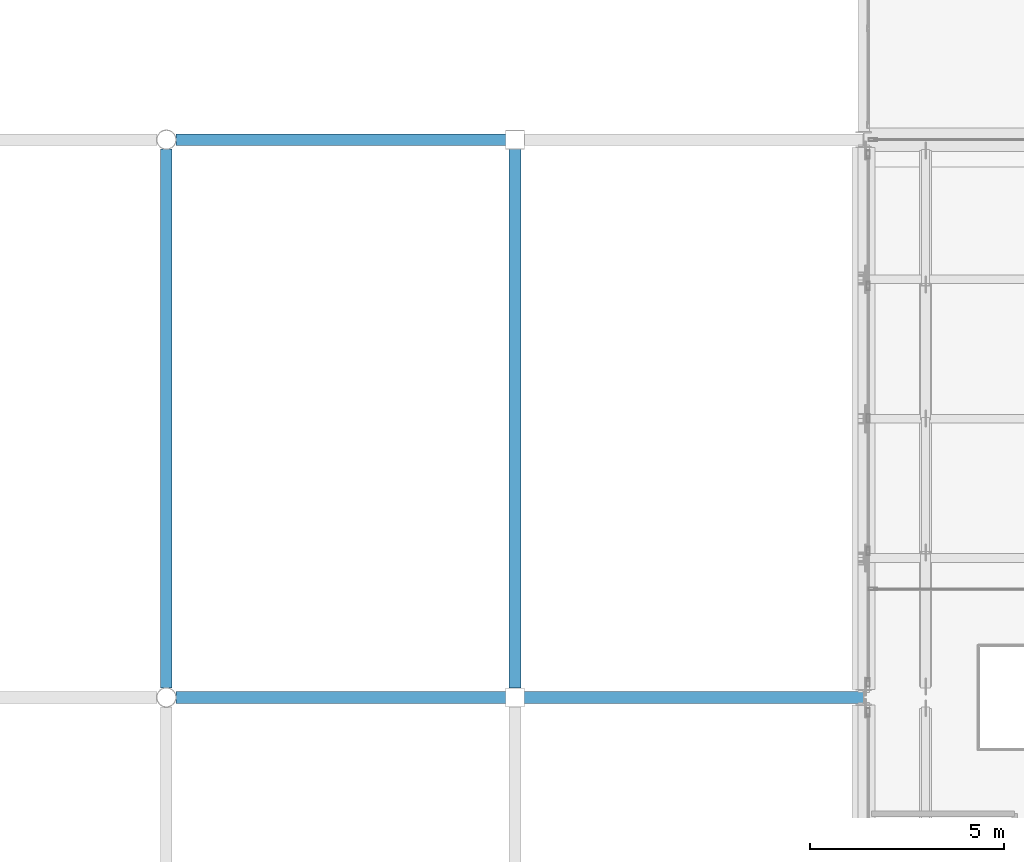
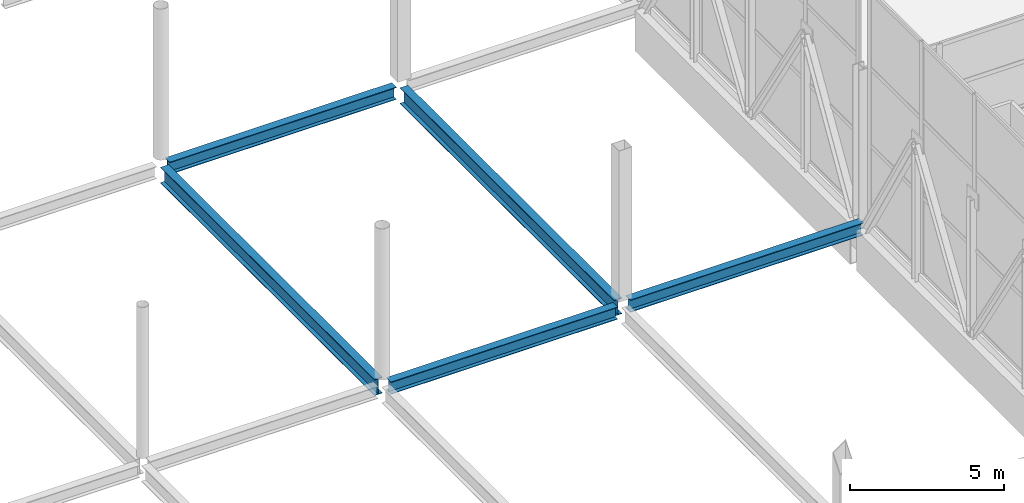
# One storey, part 72 of 191: 5 beams.
"""IFC4 building model written with IfcOpenShell, lengths in metres."""

from ifc_helpers import new_model, si_unit, direction, frame, origin, origin_2d, place, context, subcontext, project, spatial, i_section, extrude, material, material_profile, profile_set, type_object, element, save


model = new_model("IFC4")

# Units and contexts
model_context = context("Model", 3, precision=1e-05, world=origin(), true_north=direction((0.0, 1.0)))
body_context = subcontext(model_context, "Body", "Model", "MODEL_VIEW")
ifc_project = project(units=[si_unit("LENGTHUNIT", "METRE"), si_unit("AREAUNIT", "SQUARE_METRE"), si_unit("VOLUMEUNIT", "CUBIC_METRE"), si_unit("PLANEANGLEUNIT", "RADIAN"), si_unit("MASSUNIT", "GRAM", prefix="KILO")], contexts=[model_context])

# Site, building, storey
site_placement = place(None, origin())
site = spatial("IfcSite", under=ifc_project, at=site_placement, CompositionType="ELEMENT")
building_placement = place(site_placement, origin())
building = spatial("IfcBuilding", under=site, at=building_placement, Name="Tamarisk Ironworks Central Station", CompositionType="ELEMENT")
storey_placement = place(building_placement, frame((0.0, 0.0, 6.60009765625)))
storey = spatial("IfcBuildingStorey", under=building, at=storey_placement, Name="L01", CompositionType="ELEMENT", Elevation=6.60009765625)

# Beams
ifc_material = material(Name="Structural steel S355J2", Category="steel")
ifc_material_profile_1 = material_profile(ifc_material, i_section(OverallWidth=0.300048828125, OverallDepth=0.639892578125, WebThickness=0.013427734375, FlangeThickness=0.02587890625, at=origin_2d()), Name="HEA 650")
ifc_profile_set_1 = profile_set([ifc_material_profile_1], Name="Structural steel S355J2")
beam_type_1 = type_object("IfcBeamType", Name="BM-G02", PredefinedType="BEAM", material=ifc_profile_set_1)
beam_1_placement = place(storey_placement, frame((36.0, 65.0419921875, -0.570068359375), z_axis=(0.0, 1.0, 0.0), x_axis=(-1.0, 0.0, 0.0)))
element("IfcBeam", 1, at=beam_1_placement, inside=storey, type_object=beam_type_1, Name="L01 primary girder Y-0192", PredefinedType="BEAM", context=body_context, shape_type="SweptSolid", body=[
    extrude(i_section(OverallWidth=0.300048828125, OverallDepth=0.639892578125, WebThickness=0.013427734375, FlangeThickness=0.02587890625, at=origin_2d()), origin(), (0.0, 0.0, 1.0), 13.916015625),
])
beam_2_placement = place(storey_placement, frame((45.0, 65.0380859375, -0.570068359375), z_axis=(0.0, 1.0, 0.0), x_axis=(-1.0, 0.0, 0.0)))
element("IfcBeam", 2, at=beam_2_placement, inside=storey, type_object=beam_type_1, Name="L01 primary girder Y-0201", PredefinedType="BEAM", context=body_context, shape_type="SweptSolid", body=[
    extrude(i_section(OverallWidth=0.300048828125, OverallDepth=0.639892578125, WebThickness=0.013427734375, FlangeThickness=0.02587890625, at=origin_2d()), origin(), (0.0, 0.0, 1.0), 13.923828125),
])
ifc_material_profile_2 = material_profile(ifc_material, i_section(OverallWidth=0.300048828125, OverallDepth=0.489990234375, WebThickness=0.011962890625, FlangeThickness=0.02294921875, at=origin_2d()), Name="HEA 500")
ifc_profile_set_2 = profile_set([ifc_material_profile_2], Name="Structural steel S355J2")
beam_type_2 = type_object("IfcBeamType", Name="BM-G05", PredefinedType="BEAM", material=ifc_profile_set_2)
beam_3_placement = place(storey_placement, frame((36.241943359375, 64.800048828125, -0.4951171875), z_axis=(1.0, 0.0, 0.0), x_axis=(0.0, 1.0, 0.0)))
element("IfcBeam", 3, at=beam_3_placement, inside=storey, type_object=beam_type_2, Name="L01 primary girder X-0070", PredefinedType="BEAM", context=body_context, shape_type="SweptSolid", body=[
    extrude(i_section(OverallWidth=0.300048828125, OverallDepth=0.489990234375, WebThickness=0.011962890625, FlangeThickness=0.02294921875, at=origin_2d()), origin(), (0.0, 0.0, 1.0), 8.52001953125),
])
beam_4_placement = place(storey_placement, frame((45.238037109375, 64.800048828125, -0.385009765625), z_axis=(1.0, 0.0, 0.0), x_axis=(0.0, 1.0, 0.0)))
element("IfcBeam", 4, at=beam_4_placement, inside=storey, type_object=beam_type_2, Name="L01 primary girder X-0071", PredefinedType="BEAM", context=body_context, shape_type="SweptSolid", body=[
    extrude(i_section(OverallWidth=0.300048828125, OverallDepth=0.489990234375, WebThickness=0.011962890625, FlangeThickness=0.02294921875, at=origin_2d()), origin(), (0.0, 0.0, 1.0), 8.758056640625),
])
beam_5_placement = place(storey_placement, frame((36.241943359375, 79.199951171875, -0.4951171875), z_axis=(1.0, 0.0, 0.0), x_axis=(0.0, 1.0, 0.0)))
element("IfcBeam", 5, at=beam_5_placement, inside=storey, type_object=beam_type_2, Name="L01 primary girder X-0082", PredefinedType="BEAM", context=body_context, shape_type="SweptSolid", body=[
    extrude(i_section(OverallWidth=0.300048828125, OverallDepth=0.489990234375, WebThickness=0.011962890625, FlangeThickness=0.02294921875, at=origin_2d()), origin(), (0.0, 0.0, 1.0), 8.52001953125),
])

save(model, "model.ifc")
